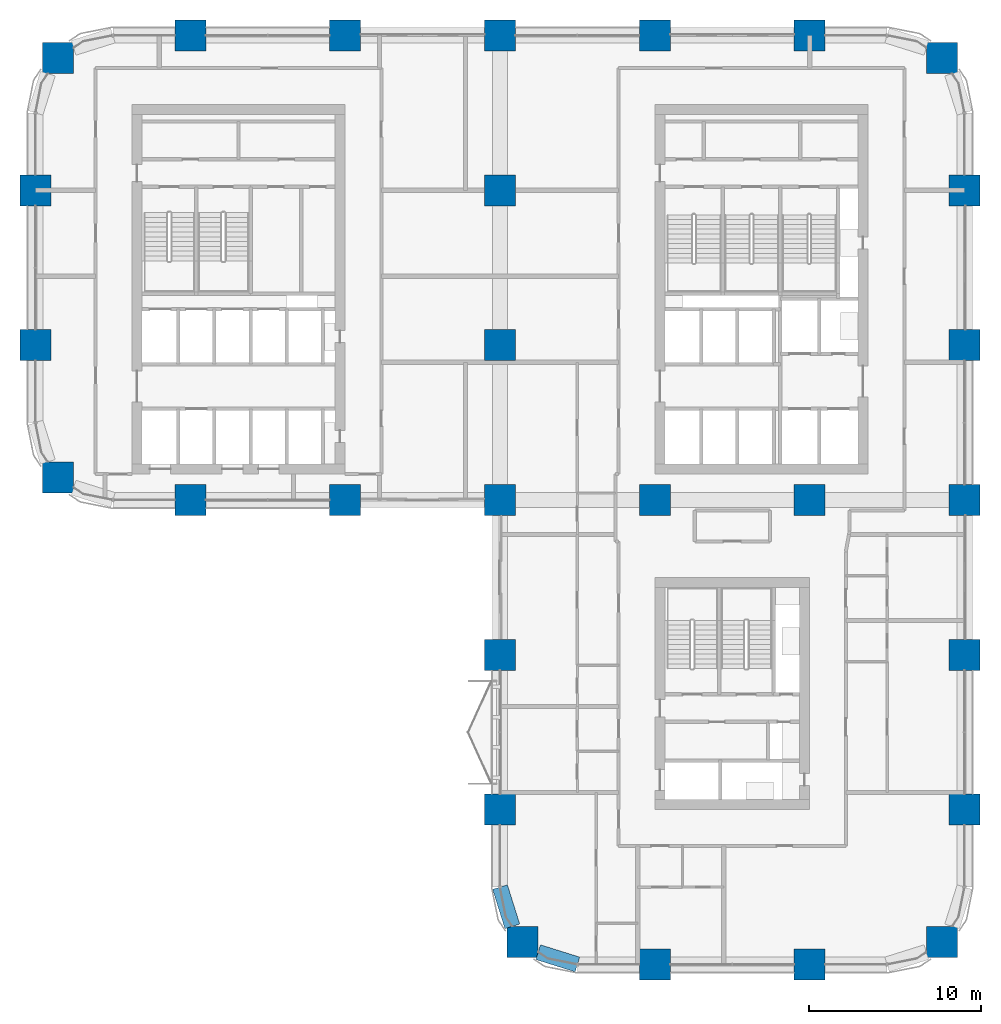
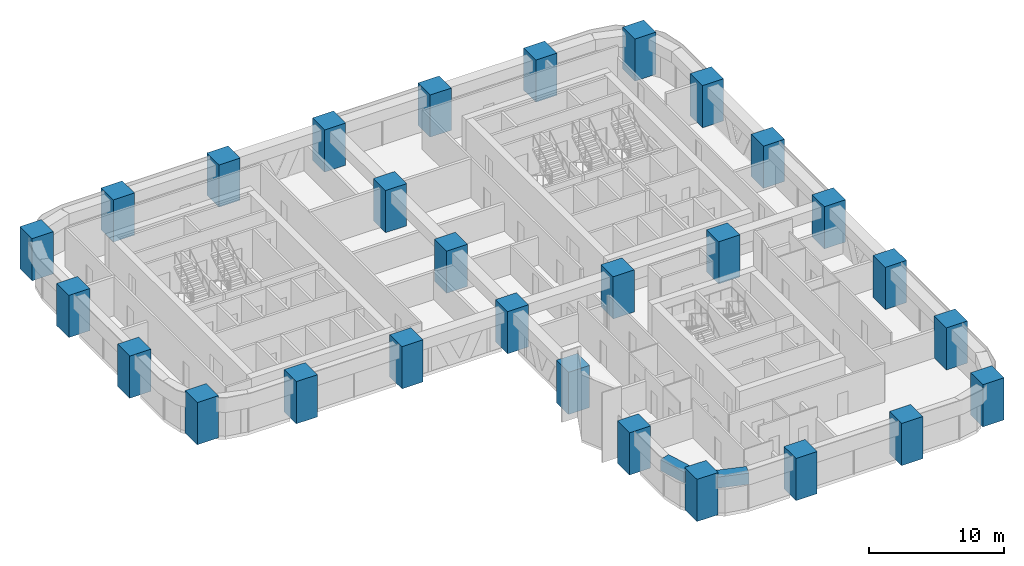
# One storey, part 1 of 19: 28 columns, 2 beams.
"""IFC4 building model written with IfcOpenShell, lengths in metres."""

from ifc_helpers import new_model, si_unit, direction, frame, origin, origin_2d, place, context, subcontext, project, spatial, rectangle, extrude, material, material_profile, profile_set, type_object, element, save


model = new_model("IFC4")

# Units and contexts
model_context = context("Model", 3, precision=1e-05, world=origin(), true_north=direction((0.0, 1.0)))
body_context = subcontext(model_context, "Body", "Model", "MODEL_VIEW")
ifc_project = project(units=[si_unit("LENGTHUNIT", "METRE"), si_unit("AREAUNIT", "SQUARE_METRE"), si_unit("VOLUMEUNIT", "CUBIC_METRE"), si_unit("PLANEANGLEUNIT", "RADIAN"), si_unit("MASSUNIT", "GRAM", prefix="KILO")], contexts=[model_context])

# Site, building, storey
site_placement = place(None, origin())
site = spatial("IfcSite", under=ifc_project, at=site_placement, CompositionType="ELEMENT")
building_placement = place(site_placement, origin())
building = spatial("IfcBuilding", under=site, at=building_placement, Name="Tessera Arch", CompositionType="ELEMENT")
storey_placement = place(building_placement, frame((0.0, 0.0, 85.39990234375)))
storey = spatial("IfcBuildingStorey", under=building, at=storey_placement, Name="L19", CompositionType="ELEMENT", Elevation=85.39990234375)

# Columns
ifc_material_1 = material(Name="Concrete C80/95", Category="concrete")
ifc_material_profile_1 = material_profile(ifc_material_1, rectangle(XDim=1.800048828125, YDim=1.800048828125, at=origin_2d()), Name="RC column 1800 x 1800 Concrete C80/95")
ifc_profile_set_1 = profile_set([ifc_material_profile_1], Name="Concrete C80/95")
column_type = type_object("IfcColumnType", Name="RC column 1800 x 1800 Concrete C80/95", PredefinedType="COLUMN", material=ifc_profile_set_1)
for number, where, z_axis, x_axis, name in (
    (1, (1.318115234375, 28.318115234375, 0.0), (0.0, 0.0, 1.0), (1.0, 0.0, 0.0), "Column C1D L19"),
    (2, (0.0, 36.0, 0.0), (0.0, 0.0, 1.0), (1.0, 0.0, 0.0), "Column C1E L19"),
    (3, (0.0, 45.0, 0.0), (0.0, 0.0, 1.0), (1.0, 0.0, 0.0), "Column C1F L19"),
    (4, (1.318115234375, 52.681884765625, 0.0), (0.0, 0.0, 1.0), (1.0, 0.0, 0.0), "Column C1G L19"),
    (5, (9.0, 27.0, 0.0), (0.0, 0.0, 1.0), (1.0, 0.0, 0.0), "Column C2D L19"),
    (6, (9.0, 54.0, 0.0), (0.0, 0.0, 1.0), (1.0, 0.0, 0.0), "Column C2G L19"),
    (7, (18.0, 27.0, 0.0), (0.0, 0.0, 1.0), (1.0, 0.0, 0.0), "Column C3D L19"),
    (8, (18.0, 54.0, 0.0), (0.0, 0.0, 1.0), (1.0, 0.0, 0.0), "Column C3G L19"),
    (9, (28.318115234375, 1.318115234375, 0.0), (0.0, 0.0, 1.0), (1.0, 0.0, 0.0), "Column C4A L19"),
    (10, (27.0, 9.0, 0.0), (0.0, 0.0, 1.0), (1.0, 0.0, 0.0), "Column C4B L19"),
    (11, (27.0, 18.0, 0.0), (0.0, 0.0, 1.0), (1.0, 0.0, 0.0), "Column C4C L19"),
    (12, (27.0, 27.0, 0.0), (0.0, 0.0, 1.0), (1.0, 0.0, 0.0), "Column C4D L19"),
    (13, (27.0, 36.0, 0.0), (0.0, 0.0, 1.0), (1.0, 0.0, 0.0), "Column C4E L19"),
    (14, (27.0, 45.0, 0.0), (0.0, 0.0, 1.0), (1.0, 0.0, 0.0), "Column C4F L19"),
    (15, (27.0, 54.0, 0.0), (0.0, 0.0, 1.0), (1.0, 0.0, 0.0), "Column C4G L19"),
    (16, (36.0, 0.0, 0.0), (0.0, 0.0, 1.0), (1.0, 0.0, 0.0), "Column C5A L19"),
    (17, (36.0, 27.0, 0.0), (0.0, 0.0, 1.0), (1.0, 0.0, 0.0), "Column C5D L19"),
    (18, (36.0, 54.0, 0.0), (0.0, 0.0, 1.0), (1.0, 0.0, 0.0), "Column C5G L19"),
    (19, (45.0, 0.0, 0.0), (0.0, 0.0, 1.0), (1.0, 0.0, 0.0), "Column C6A L19"),
    (20, (45.0, 27.0, 0.0), (0.0, 0.0, 1.0), (1.0, 0.0, 0.0), "Column C6D L19"),
    (21, (45.0, 54.0, 0.0), (0.0, 0.0, 1.0), (1.0, 0.0, 0.0), "Column C6G L19"),
    (22, (52.681884765625, 1.318115234375, 0.0), (0.0, 0.0, 1.0), (1.0, 0.0, 0.0), "Column C7A L19"),
    (23, (54.0, 9.0, 0.0), (0.0, 0.0, 1.0), (1.0, 0.0, 0.0), "Column C7B L19"),
    (24, (54.0, 18.0, 0.0), (0.0, 0.0, 1.0), (1.0, 0.0, 0.0), "Column C7C L19"),
    (25, (54.0, 27.0, 0.0), (0.0, 0.0, 1.0), (1.0, 0.0, 0.0), "Column C7D L19"),
    (26, (54.0, 36.0, 0.0), (0.0, 0.0, 1.0), (1.0, 0.0, 0.0), "Column C7E L19"),
    (27, (54.0, 45.0, 0.0), (0.0, 0.0, 1.0), (1.0, 0.0, 0.0), "Column C7F L19"),
    (28, (52.681884765625, 52.681884765625, 0.0), (0.0, 0.0, 1.0), (1.0, 0.0, 0.0), "Column C7G L19"),
):
    element("IfcColumn", number, at=place(storey_placement, frame(where, z_axis=z_axis, x_axis=x_axis)), inside=storey, type_object=column_type, Name=name, PredefinedType="COLUMN", context=body_context, shape_type="SweptSolid", body=[
        extrude(rectangle(XDim=1.800048828125, YDim=1.800048828125, at=origin_2d()), origin(), (0.0, 0.0, 1.0), 3.800048828125),
    ])

# Beams
ifc_material_2 = material(Name="Concrete C80/95", Category="concrete")
ifc_material_profile_2 = material_profile(ifc_material_2, rectangle(XDim=0.89990234375, YDim=1.0, at=origin_2d()), Name="RC spandrel beam 900 x 1000 Concrete C80/95")
ifc_profile_set_2 = profile_set([ifc_material_profile_2], Name="Concrete C80/95")
beam_type = type_object("IfcBeamType", Name="RC spandrel beam 900 x 1000 Concrete C80/95", PredefinedType="BEAM", material=ifc_profile_set_2)
for number, where, z_axis, x_axis, name in (
    (29, (27.0, 4.5, 3.0), (0.299675309057, -0.954041251279, 0.0), (0.954041251279, 0.299675309057, 0.0), "Spandrel beam L19 W27.0/2.2"),
    (30, (29.218017578125, 0.716796875, 3.0), (0.954041251279, -0.299675309057, 0.0), (0.299675309057, 0.954041251279, 0.0), "Spandrel beam L19 S0.27/0.1"),
):
    element("IfcBeam", number, at=place(storey_placement, frame(where, z_axis=z_axis, x_axis=x_axis)), inside=storey, type_object=beam_type, Name=name, PredefinedType="BEAM", context=body_context, shape_type="SweptSolid", body=[
        extrude(rectangle(XDim=0.89990234375, YDim=1.0, at=origin_2d()), origin(), (0.0, 0.0, 1.0), 2.391845703125),
    ])

save(model, "model.ifc")
